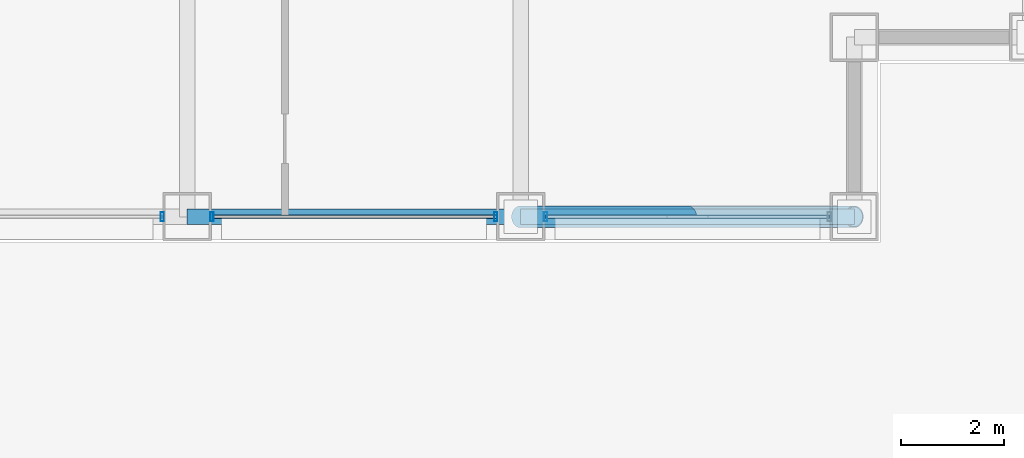
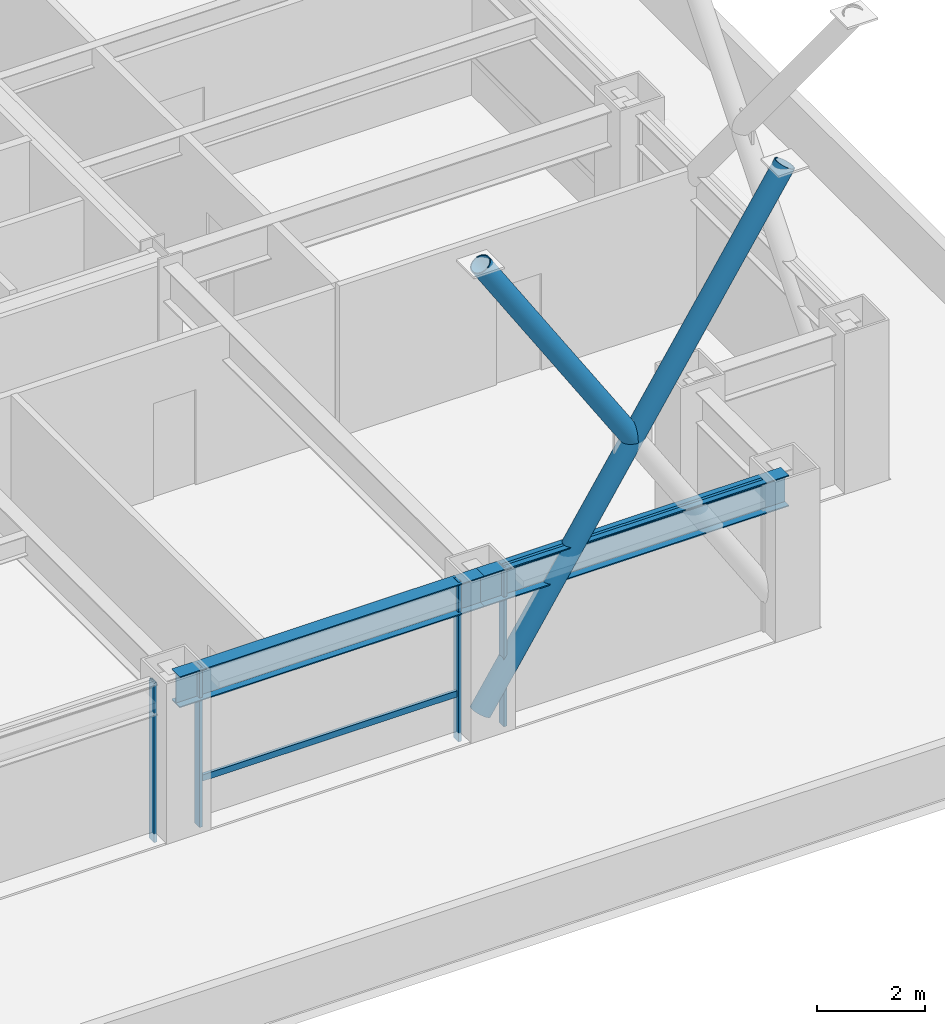
# One storey, part 10 of 33: 8 members, 2 beams, 3 elements without a shape of their own.
"""IFC4 building model written with IfcOpenShell, lengths in metres."""

from ifc_helpers import new_model, si_unit, direction, frame, origin, origin_2d, place, context, subcontext, project, spatial, hollow_rectangle, hollow_circle, i_section, extrude, material, layer, layer_set, material_profile, profile_set, type_object, element, aggregate, save


model = new_model("IFC4")

# Units and contexts
model_context = context("Model", 3, precision=1e-05, world=origin(), true_north=direction((0.0, 1.0)))
body_context = subcontext(model_context, "Body", "Model", "MODEL_VIEW")
ifc_project = project(units=[si_unit("LENGTHUNIT", "METRE"), si_unit("AREAUNIT", "SQUARE_METRE"), si_unit("VOLUMEUNIT", "CUBIC_METRE"), si_unit("PLANEANGLEUNIT", "RADIAN"), si_unit("MASSUNIT", "GRAM", prefix="KILO")], contexts=[model_context])

# Site, building, storey
site_placement = place(None, origin())
site = spatial("IfcSite", under=ifc_project, at=site_placement, CompositionType="ELEMENT")
building_placement = place(site_placement, origin())
building = spatial("IfcBuilding", under=site, at=building_placement, Name="Brelmoor Portico Tower", CompositionType="ELEMENT")
storey_placement = place(building_placement, frame((0.0, 0.0, 24.0)))
storey = spatial("IfcBuildingStorey", under=building, at=storey_placement, Name="L05", CompositionType="ELEMENT", Elevation=24.0)

# Beams
ifc_material_1 = material(Name="Steel Q355B", Category="steel")
ifc_material_profile_1 = material_profile(ifc_material_1, i_section(OverallWidth=0.300048828125, OverallDepth=0.699951171875, WebThickness=0.012939453125, FlangeThickness=0.02392578125, at=origin_2d()), Name="HN 700x300x13x24")
ifc_profile_set_1 = profile_set([ifc_material_profile_1], Name="Steel Q355B")
beam_type = type_object("IfcBeamType", Name="BM-SP-700", PredefinedType="SPANDREL", material=ifc_profile_set_1)
for number, where, z_axis, x_axis, name in (
    (1, (8.050048828125, -21.550048828125, 3.050048828125), (1.0, 0.0, 0.0), (0.0, 1.0, 0.0), "L05 Perimeter Spandrel Beam SP-04"),
    (2, (14.550048828125, -21.550048828125, 3.050048828125), (1.0, 0.0, 0.0), (0.0, 1.0, 0.0), "L05 Perimeter Spandrel Beam SP-05"),
):
    element("IfcBeam", number, at=place(storey_placement, frame(where, z_axis=z_axis, x_axis=x_axis)), inside=storey, type_object=beam_type, Name=name, PredefinedType="SPANDREL", context=body_context, shape_type="SweptSolid", body=[
        extrude(i_section(OverallWidth=0.300048828125, OverallDepth=0.699951171875, WebThickness=0.012939453125, FlangeThickness=0.02392578125, at=origin_2d()), origin(), (0.0, 0.0, 1.0), 6.5),
    ])

# Members
ifc_material_profile_2 = material_profile(ifc_material_1, hollow_circle(Radius=0.212890625, WallThickness=0.02001953125, at=origin_2d()), Name="CHS 426x20")
ifc_profile_set_2 = profile_set([ifc_material_profile_2], Name="Steel Q355B")
member_type_1 = type_object("IfcMemberType", Name="MB-BELT-DIAG1", PredefinedType="BRACE", material=ifc_profile_set_2)
member_1_placement = place(storey_placement, frame((14.550048828125, -21.550048828125, 0.25), z_axis=(0.541174623135, 0.0, 0.840910237347), x_axis=(0.0, 1.0, 0.0)))
element("IfcMember", 3, at=member_1_placement, inside=storey, type_object=member_type_1, Name="L05 Continuous Mega-X Brace 002A", PredefinedType="BRACE", context=body_context, shape_type="SweptSolid", body=[
    extrude(hollow_circle(Radius=0.212890625, WallThickness=0.02001953125, at=origin_2d()), origin(), (0.0, 0.0, 1.0), 12.010986328125),
])
member_2_placement = place(storey_placement, frame((17.800048828125, -21.550048828125, 5.300048828125), z_axis=(-0.541174623135, 0.0, 0.840910237347), x_axis=(0.0, -1.0, 0.0)))
element("IfcMember", 4, at=member_2_placement, inside=storey, type_object=member_type_1, Name="L05 Split Mega-X Brace 002B2", PredefinedType="BRACE", context=body_context, shape_type="SweptSolid", body=[
    extrude(hollow_circle(Radius=0.212890625, WallThickness=0.02001953125, at=origin_2d()), origin(), (0.0, 0.0, 1.0), 6.00537109375),
])

# Curtain wall, member
ifc_material_2 = material(Name="Anodised Aluminium Alloy 6063-T6", Category="aluminium")
ifc_layer_1 = layer(ifc_material_2, 0.179931640625)
ifc_layer_set_1 = layer_set([ifc_layer_1], Name="Anodised Aluminium Alloy 6063-T6")
curtain_wall_type_1 = type_object("IfcCurtainWallType", Name="CW-TOWER-Z1-XB", PredefinedType="NOTDEFINED", material=ifc_layer_set_1)
curtain_wall_1_placement = place(storey_placement, origin())
curtain_wall_1 = element("IfcCurtainWall", 5, at=curtain_wall_1_placement, inside=storey, type_object=curtain_wall_type_1, Name="L05 Curtain Wall CW-L05-01-3", PredefinedType="NOTDEFINED")
ifc_material_profile_3 = material_profile(ifc_material_2, hollow_rectangle(XDim=0.06494140625, YDim=0.179931640625, WallThickness=0.00390625, at=origin_2d()), Name="ALU MULLION 65x180")
ifc_profile_set_3 = profile_set([ifc_material_profile_3], Name="Anodised Aluminium Alloy 6063-T6")
member_type_2 = type_object("IfcMemberType", Name="MB-CW-MULL-180", PredefinedType="MULLION", material=ifc_profile_set_3)
member_3_placement = place(storey_placement, frame((7.56494140625, -21.550048828125, -0.199951171875), z_axis=(0.0, 0.0, 1.0), x_axis=(1.0, 0.0, 0.0)))
member_3 = element("IfcMember", 6, at=member_3_placement, type_object=member_type_2, Name="CW-L05-01-3 Mullion 01", PredefinedType="MULLION", context=body_context, shape_type="SweptSolid", body=[
    extrude(hollow_rectangle(XDim=0.06494140625, YDim=0.179931640625, WallThickness=0.00390625, at=origin_2d()), origin(), (0.0, 0.0, 1.0), 3.599853515625),
])
aggregate(curtain_wall_1, [member_3])

# Curtain wall, members
ifc_layer_2 = layer(ifc_material_2, 0.179931640625)
ifc_layer_set_2 = layer_set([ifc_layer_2], Name="Anodised Aluminium Alloy 6063-T6")
curtain_wall_type_2 = type_object("IfcCurtainWallType", Name="CW-TOWER-Z1", PredefinedType="NOTDEFINED", material=ifc_layer_set_2)
curtain_wall_2_placement = place(storey_placement, origin())
curtain_wall_2 = element("IfcCurtainWall", 7, at=curtain_wall_2_placement, inside=storey, type_object=curtain_wall_type_2, Name="L05 Curtain Wall CW-L05-01-4", PredefinedType="NOTDEFINED")
member_4_placement = place(storey_placement, frame((8.534912109375, -21.550048828125, -0.199951171875), z_axis=(0.0, 0.0, 1.0), x_axis=(1.0, 0.0, 0.0)))
member_4 = element("IfcMember", 8, at=member_4_placement, type_object=member_type_2, Name="CW-L05-01-4 Mullion 00", PredefinedType="MULLION", context=body_context, shape_type="SweptSolid", body=[
    extrude(hollow_rectangle(XDim=0.06494140625, YDim=0.179931640625, WallThickness=0.00390625, at=origin_2d()), origin(), (0.0, 0.0, 1.0), 3.599853515625),
])
member_5_placement = place(storey_placement, frame((14.06494140625, -21.550048828125, -0.199951171875), z_axis=(0.0, 0.0, 1.0), x_axis=(1.0, 0.0, 0.0)))
member_5 = element("IfcMember", 9, at=member_5_placement, type_object=member_type_2, Name="CW-L05-01-4 Mullion 01", PredefinedType="MULLION", context=body_context, shape_type="SweptSolid", body=[
    extrude(hollow_rectangle(XDim=0.06494140625, YDim=0.179931640625, WallThickness=0.00390625, at=origin_2d()), origin(), (0.0, 0.0, 1.0), 3.599853515625),
])

# Curtain wall, member
curtain_wall_3_placement = place(storey_placement, origin())
curtain_wall_3 = element("IfcCurtainWall", 10, at=curtain_wall_3_placement, inside=storey, type_object=curtain_wall_type_1, Name="L05 Curtain Wall CW-L05-01-5", PredefinedType="NOTDEFINED")
member_6_placement = place(storey_placement, frame((15.034912109375, -21.550048828125, -0.199951171875), z_axis=(0.0, 0.0, 1.0), x_axis=(1.0, 0.0, 0.0)))
member_6 = element("IfcMember", 11, at=member_6_placement, type_object=member_type_2, Name="CW-L05-01-5 Mullion 00", PredefinedType="MULLION", context=body_context, shape_type="SweptSolid", body=[
    extrude(hollow_rectangle(XDim=0.06494140625, YDim=0.179931640625, WallThickness=0.00390625, at=origin_2d()), origin(), (0.0, 0.0, 1.0), 3.599853515625),
])

# Member
ifc_material_profile_4 = material_profile(ifc_material_2, hollow_rectangle(XDim=0.06494140625, YDim=0.139892578125, WallThickness=0.00390625, at=origin_2d()), Name="ALU TRANSOM 65x140")
ifc_profile_set_4 = profile_set([ifc_material_profile_4], Name="Anodised Aluminium Alloy 6063-T6")
member_type_3 = type_object("IfcMemberType", Name="MB-CW-TRAN-140", PredefinedType="USERDEFINED", material=ifc_profile_set_4)
member_7_placement = place(storey_placement, frame((8.534912109375, -21.550048828125, 0.85009765625), z_axis=(1.0, 0.0, 0.0), x_axis=(0.0, 1.0, 0.0)))
member_7 = element("IfcMember", 12, at=member_7_placement, type_object=member_type_3, Name="CW-L05-01-4 Transom 1-00", ObjectType="TRANSOM", PredefinedType="USERDEFINED", context=body_context, shape_type="SweptSolid", body=[
    extrude(hollow_rectangle(XDim=0.06494140625, YDim=0.139892578125, WallThickness=0.00390625, at=origin_2d()), origin(), (0.0, 0.0, 1.0), 5.530029296875),
])

aggregate(curtain_wall_2, [member_4, member_5, member_7])

member_8_placement = place(storey_placement, frame((15.034912109375, -21.550048828125, 3.330078125), z_axis=(1.0, 0.0, 0.0), x_axis=(0.0, 1.0, 0.0)))
member_8 = element("IfcMember", 13, at=member_8_placement, type_object=member_type_3, Name="CW-L05-01-5 Transom 1-00", ObjectType="TRANSOM", PredefinedType="USERDEFINED", context=body_context, shape_type="SweptSolid", body=[
    extrude(hollow_rectangle(XDim=0.06494140625, YDim=0.139892578125, WallThickness=0.00390625, at=origin_2d()), origin(), (0.0, 0.0, 1.0), 5.530029296875),
])

aggregate(curtain_wall_3, [member_6, member_8])

save(model, "model.ifc")
